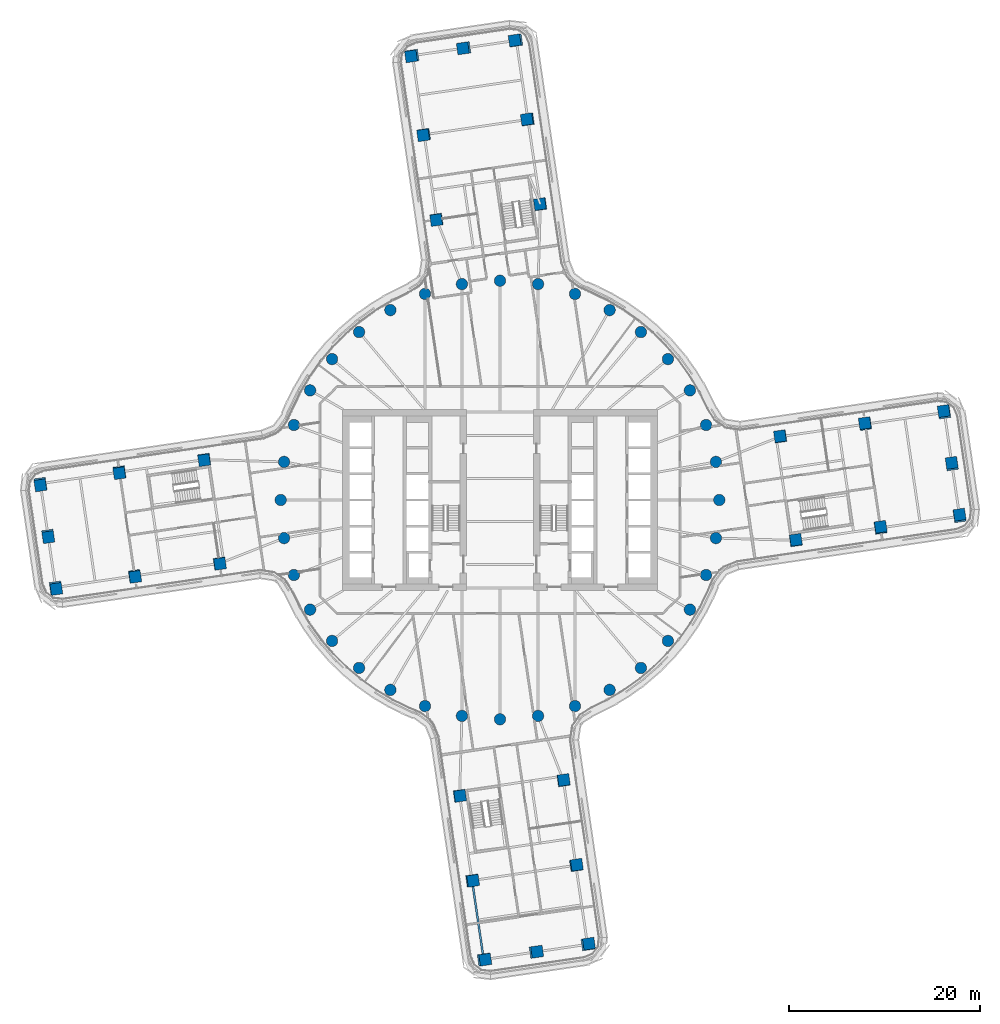
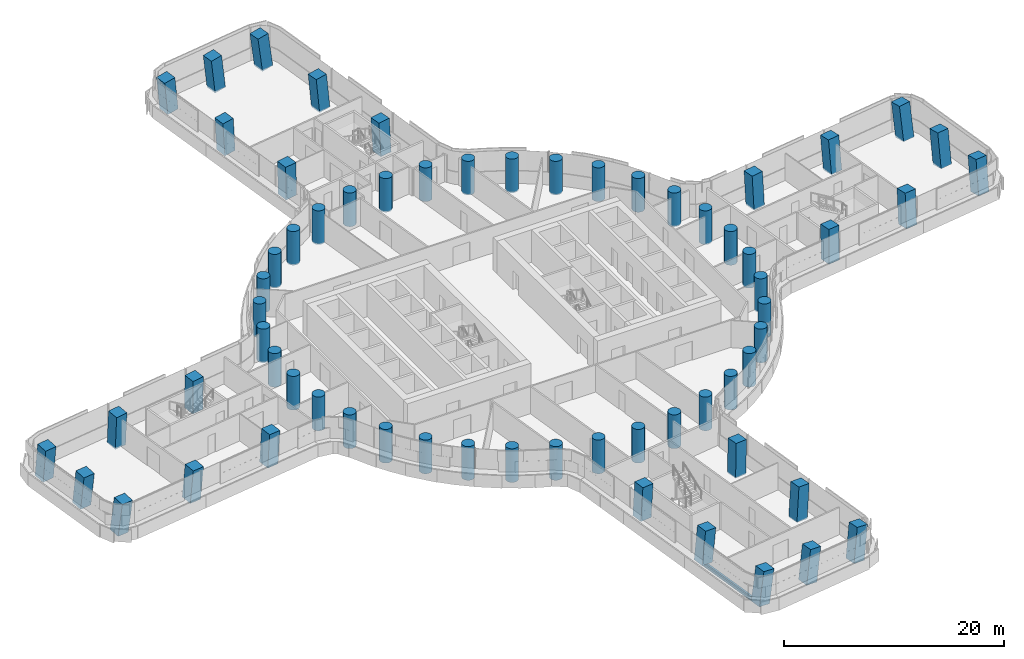
# One storey, part 1 of 31: 64 columns, 1 beam.
"""IFC4 building model written with IfcOpenShell, lengths in metres."""

from ifc_helpers import new_model, si_unit, direction, frame, origin, origin_2d, place, context, subcontext, project, spatial, rectangle, circle, i_section, extrude, material, material_profile, profile_set, type_object, element, save


model = new_model("IFC4")

# Units and contexts
model_context = context("Model", 3, precision=1e-05, world=origin(), true_north=direction((0.0, 1.0)))
body_context = subcontext(model_context, "Body", "Model", "MODEL_VIEW")
ifc_project = project(units=[si_unit("LENGTHUNIT", "METRE"), si_unit("AREAUNIT", "SQUARE_METRE"), si_unit("VOLUMEUNIT", "CUBIC_METRE"), si_unit("PLANEANGLEUNIT", "RADIAN"), si_unit("MASSUNIT", "GRAM", prefix="KILO")], contexts=[model_context])

# Site, building, storey
site_placement = place(None, origin())
site = spatial("IfcSite", under=ifc_project, at=site_placement, CompositionType="ELEMENT")
building_placement = place(site_placement, origin())
building = spatial("IfcBuilding", under=site, at=building_placement, Name="Tamarind Cross Interchange Tower", CompositionType="ELEMENT")
storey_placement = place(building_placement, frame((0.0, 0.0, 64.0)))
storey = spatial("IfcBuildingStorey", under=building, at=storey_placement, Name="L14", CompositionType="ELEMENT", Elevation=64.0)

# Columns
ifc_material_1 = material(Name="Concrete C70", Category="concrete")
ifc_material_profile_1 = material_profile(ifc_material_1, rectangle(XDim=1.199951171875, YDim=1.199951171875, at=origin_2d()), Name="RC 1200x1200")
ifc_profile_set_1 = profile_set([ifc_material_profile_1], Name="Concrete C70")
column_type_1 = type_object("IfcColumnType", Name="Column RC 1200x1200 Concrete C70", PredefinedType="COLUMN", material=ifc_profile_set_1)
for number, where, z_axis, x_axis, name in (
    (1, (38.316650390625, 7.95654296875, -0.138427734375), (-0.039268714824, 0.078667243581, 0.996127217188), (0.143893294794, -0.986060344025, 0.083544704523), "Column L14-036"),
    (2, (39.915771484375, -2.926513671875, -0.138427734375), (0.0133708996, 0.086845940123, 0.99613202023), (-0.98919717886, -0.144292484971, 0.025857689694), "Column L14-037"),
):
    element("IfcColumn", number, at=place(storey_placement, frame(where, z_axis=z_axis, x_axis=x_axis)), inside=storey, type_object=column_type_1, Name=name, PredefinedType="COLUMN", context=body_context, shape_type="SweptSolid", body=[
        extrude(rectangle(XDim=1.199951171875, YDim=1.199951171875, at=origin_2d()), origin(), (0.0, 0.0, 1.0), 3.761474609375),
    ])
for number, where, z_axis, x_axis, name in (
    (3, (29.412353515625, 6.648193359375, -0.138671875), (-0.032602363216, 0.035725942926, 0.998829686641), (0.144215796423, -0.988734558456, 0.04007214715), "Column L14-038"),
    (4, (31.011474609375, -4.235107421875, -0.138671875), (0.020173090167, 0.043990351462, 0.99882826122), (-0.989075414591, -0.145033721789, 0.026363683266), "Column L14-039"),
):
    element("IfcColumn", number, at=place(storey_placement, frame(where, z_axis=z_axis, x_axis=x_axis)), inside=storey, type_object=column_type_1, Name=name, PredefinedType="COLUMN", context=body_context, shape_type="SweptSolid", body=[
        extrude(rectangle(XDim=1.199951171875, YDim=1.199951171875, at=origin_2d()), origin(), (0.0, 0.0, 1.0), 3.751708984375),
    ])
column_1_placement = place(storey_placement, frame((48.209228515625, -1.7080078125, -0.138671875), z_axis=(0.001292709598, 0.125522101994, 0.992089981208), x_axis=(-0.98940193611, -0.143888079308, 0.019494344175)))
element("IfcColumn", 5, at=column_1_placement, inside=storey, type_object=column_type_1, Name="Column L14-040", PredefinedType="COLUMN", context=body_context, shape_type="SweptSolid", body=[
    extrude(rectangle(XDim=1.199951171875, YDim=1.199951171875, at=origin_2d()), origin(), (0.0, 0.0, 1.0), 3.777099609375),
])
column_2_placement = place(storey_placement, frame((47.409912109375, 3.733642578125, -0.138671875), z_axis=(-0.02495429383, 0.121409750809, 0.992288746096), x_axis=(0.143881676543, -0.981827108054, 0.123748103203)))
element("IfcColumn", 6, at=column_2_placement, inside=storey, type_object=column_type_1, Name="Column L14-041", PredefinedType="COLUMN", context=body_context, shape_type="SweptSolid", body=[
    extrude(rectangle(XDim=1.199951171875, YDim=1.199951171875, at=origin_2d()), origin(), (0.0, 0.0, 1.0), 3.7763671875),
])
column_3_placement = place(storey_placement, frame((46.6103515625, 9.175048828125, -0.138427734375), z_axis=(-0.051181469021, 0.117355489573, 0.991770208413), x_axis=(0.142269707297, -0.982086717928, 0.123551644487)))
element("IfcColumn", 7, at=column_3_placement, inside=storey, type_object=column_type_1, Name="Column L14-042", PredefinedType="COLUMN", context=body_context, shape_type="SweptSolid", body=[
    extrude(rectangle(XDim=1.199951171875, YDim=1.199951171875, at=origin_2d()), origin(), (0.0, 0.0, 1.0), 3.77783203125),
])
for number, where, z_axis, x_axis, name in (
    (8, (-7.95654296875, 38.316650390625, -0.138427734375), (-0.078667243581, -0.039268714824, 0.996127217188), (0.986060344025, 0.143893294794, 0.083544704523), "Column L14-043"),
    (9, (2.926513671875, 39.915771484375, -0.138427734375), (-0.086845940123, 0.0133708996, 0.99613202023), (0.144292484971, -0.98919717886, 0.025857689694), "Column L14-044"),
):
    element("IfcColumn", number, at=place(storey_placement, frame(where, z_axis=z_axis, x_axis=x_axis)), inside=storey, type_object=column_type_1, Name=name, PredefinedType="COLUMN", context=body_context, shape_type="SweptSolid", body=[
        extrude(rectangle(XDim=1.199951171875, YDim=1.199951171875, at=origin_2d()), origin(), (0.0, 0.0, 1.0), 3.761474609375),
    ])
for number, where, z_axis, x_axis, name in (
    (10, (-6.648193359375, 29.412353515625, -0.138671875), (-0.035725942926, -0.032602363216, 0.998829686641), (0.988734558456, 0.144215796423, 0.04007214715), "Column L14-045"),
    (11, (4.235107421875, 31.011474609375, -0.138671875), (-0.043990351462, 0.020173090167, 0.99882826122), (0.145033721789, -0.989075414591, 0.026363683266), "Column L14-046"),
):
    element("IfcColumn", number, at=place(storey_placement, frame(where, z_axis=z_axis, x_axis=x_axis)), inside=storey, type_object=column_type_1, Name=name, PredefinedType="COLUMN", context=body_context, shape_type="SweptSolid", body=[
        extrude(rectangle(XDim=1.199951171875, YDim=1.199951171875, at=origin_2d()), origin(), (0.0, 0.0, 1.0), 3.751708984375),
    ])
column_4_placement = place(storey_placement, frame((1.7080078125, 48.209228515625, -0.138671875), z_axis=(-0.125522101994, 0.001292709598, 0.992089981208), x_axis=(0.143888079308, -0.98940193611, 0.019494344175)))
element("IfcColumn", 12, at=column_4_placement, inside=storey, type_object=column_type_1, Name="Column L14-047", PredefinedType="COLUMN", context=body_context, shape_type="SweptSolid", body=[
    extrude(rectangle(XDim=1.199951171875, YDim=1.199951171875, at=origin_2d()), origin(), (0.0, 0.0, 1.0), 3.777099609375),
])
column_5_placement = place(storey_placement, frame((-3.733642578125, 47.409912109375, -0.138671875), z_axis=(-0.121409750809, -0.02495429383, 0.992288746096), x_axis=(0.981827108054, 0.143881676543, 0.123748103203)))
element("IfcColumn", 13, at=column_5_placement, inside=storey, type_object=column_type_1, Name="Column L14-048", PredefinedType="COLUMN", context=body_context, shape_type="SweptSolid", body=[
    extrude(rectangle(XDim=1.199951171875, YDim=1.199951171875, at=origin_2d()), origin(), (0.0, 0.0, 1.0), 3.7763671875),
])
column_6_placement = place(storey_placement, frame((-9.175048828125, 46.6103515625, -0.138427734375), z_axis=(-0.117355489573, -0.051181469021, 0.991770208413), x_axis=(0.982086717928, 0.142269707297, 0.123551644487)))
element("IfcColumn", 14, at=column_6_placement, inside=storey, type_object=column_type_1, Name="Column L14-049", PredefinedType="COLUMN", context=body_context, shape_type="SweptSolid", body=[
    extrude(rectangle(XDim=1.199951171875, YDim=1.199951171875, at=origin_2d()), origin(), (0.0, 0.0, 1.0), 3.77783203125),
])
for number, where, z_axis, x_axis, name in (
    (15, (-38.316650390625, -7.95654296875, -0.138427734375), (0.039268714824, -0.078667243581, 0.996127217188), (-0.143893294794, 0.986060344025, 0.083544704523), "Column L14-050"),
    (16, (-39.915771484375, 2.926513671875, -0.138427734375), (-0.0133708996, -0.086845940123, 0.99613202023), (0.98919717886, 0.144292484971, 0.025857689694), "Column L14-051"),
):
    element("IfcColumn", number, at=place(storey_placement, frame(where, z_axis=z_axis, x_axis=x_axis)), inside=storey, type_object=column_type_1, Name=name, PredefinedType="COLUMN", context=body_context, shape_type="SweptSolid", body=[
        extrude(rectangle(XDim=1.199951171875, YDim=1.199951171875, at=origin_2d()), origin(), (0.0, 0.0, 1.0), 3.761474609375),
    ])
for number, where, z_axis, x_axis, name in (
    (17, (-29.412353515625, -6.648193359375, -0.138671875), (0.032602363216, -0.035725942926, 0.998829686641), (-0.144215796423, 0.988734558456, 0.04007214715), "Column L14-052"),
    (18, (-31.011474609375, 4.235107421875, -0.138671875), (-0.020173090167, -0.043990351462, 0.99882826122), (0.989075414591, 0.145033721789, 0.026363683266), "Column L14-053"),
):
    element("IfcColumn", number, at=place(storey_placement, frame(where, z_axis=z_axis, x_axis=x_axis)), inside=storey, type_object=column_type_1, Name=name, PredefinedType="COLUMN", context=body_context, shape_type="SweptSolid", body=[
        extrude(rectangle(XDim=1.199951171875, YDim=1.199951171875, at=origin_2d()), origin(), (0.0, 0.0, 1.0), 3.751708984375),
    ])
column_7_placement = place(storey_placement, frame((-48.209228515625, 1.7080078125, -0.138671875), z_axis=(-0.001292709598, -0.125522101994, 0.992089981208), x_axis=(0.98940193611, 0.143888079308, 0.019494344175)))
element("IfcColumn", 19, at=column_7_placement, inside=storey, type_object=column_type_1, Name="Column L14-054", PredefinedType="COLUMN", context=body_context, shape_type="SweptSolid", body=[
    extrude(rectangle(XDim=1.199951171875, YDim=1.199951171875, at=origin_2d()), origin(), (0.0, 0.0, 1.0), 3.777099609375),
])
column_8_placement = place(storey_placement, frame((-47.409912109375, -3.733642578125, -0.138671875), z_axis=(0.02495429383, -0.121409750809, 0.992288746096), x_axis=(-0.143881676543, 0.981827108054, 0.123748103203)))
element("IfcColumn", 20, at=column_8_placement, inside=storey, type_object=column_type_1, Name="Column L14-055", PredefinedType="COLUMN", context=body_context, shape_type="SweptSolid", body=[
    extrude(rectangle(XDim=1.199951171875, YDim=1.199951171875, at=origin_2d()), origin(), (0.0, 0.0, 1.0), 3.7763671875),
])
column_9_placement = place(storey_placement, frame((-46.6103515625, -9.175048828125, -0.138427734375), z_axis=(0.051181469021, -0.117355489573, 0.991770208413), x_axis=(-0.142269707297, 0.982086717928, 0.123551644487)))
element("IfcColumn", 21, at=column_9_placement, inside=storey, type_object=column_type_1, Name="Column L14-056", PredefinedType="COLUMN", context=body_context, shape_type="SweptSolid", body=[
    extrude(rectangle(XDim=1.199951171875, YDim=1.199951171875, at=origin_2d()), origin(), (0.0, 0.0, 1.0), 3.77783203125),
])
for number, where, z_axis, x_axis, name in (
    (22, (7.95654296875, -38.316650390625, -0.138427734375), (0.078667243581, 0.039268714824, 0.996127217188), (-0.986060344025, -0.143893294794, 0.083544704523), "Column L14-057"),
    (23, (-2.926513671875, -39.915771484375, -0.138427734375), (0.086845940123, -0.0133708996, 0.99613202023), (-0.144292484971, 0.98919717886, 0.025857689694), "Column L14-058"),
):
    element("IfcColumn", number, at=place(storey_placement, frame(where, z_axis=z_axis, x_axis=x_axis)), inside=storey, type_object=column_type_1, Name=name, PredefinedType="COLUMN", context=body_context, shape_type="SweptSolid", body=[
        extrude(rectangle(XDim=1.199951171875, YDim=1.199951171875, at=origin_2d()), origin(), (0.0, 0.0, 1.0), 3.761474609375),
    ])
for number, where, z_axis, x_axis, name in (
    (24, (6.648193359375, -29.412353515625, -0.138671875), (0.035725942926, 0.032602363216, 0.998829686641), (-0.988734558456, -0.144215796423, 0.04007214715), "Column L14-059"),
    (25, (-4.235107421875, -31.011474609375, -0.138671875), (0.043990351462, -0.020173090167, 0.99882826122), (-0.145033721789, 0.989075414591, 0.026363683266), "Column L14-060"),
):
    element("IfcColumn", number, at=place(storey_placement, frame(where, z_axis=z_axis, x_axis=x_axis)), inside=storey, type_object=column_type_1, Name=name, PredefinedType="COLUMN", context=body_context, shape_type="SweptSolid", body=[
        extrude(rectangle(XDim=1.199951171875, YDim=1.199951171875, at=origin_2d()), origin(), (0.0, 0.0, 1.0), 3.751708984375),
    ])
column_10_placement = place(storey_placement, frame((-1.7080078125, -48.209228515625, -0.138671875), z_axis=(0.125522101994, -0.001292709598, 0.992089981208), x_axis=(-0.143888079308, 0.98940193611, 0.019494344175)))
element("IfcColumn", 26, at=column_10_placement, inside=storey, type_object=column_type_1, Name="Column L14-061", PredefinedType="COLUMN", context=body_context, shape_type="SweptSolid", body=[
    extrude(rectangle(XDim=1.199951171875, YDim=1.199951171875, at=origin_2d()), origin(), (0.0, 0.0, 1.0), 3.777099609375),
])
column_11_placement = place(storey_placement, frame((3.733642578125, -47.409912109375, -0.138671875), z_axis=(0.121409750809, 0.02495429383, 0.992288746096), x_axis=(-0.981827108054, -0.143881676543, 0.123748103203)))
element("IfcColumn", 27, at=column_11_placement, inside=storey, type_object=column_type_1, Name="Column L14-062", PredefinedType="COLUMN", context=body_context, shape_type="SweptSolid", body=[
    extrude(rectangle(XDim=1.199951171875, YDim=1.199951171875, at=origin_2d()), origin(), (0.0, 0.0, 1.0), 3.7763671875),
])
column_12_placement = place(storey_placement, frame((9.175048828125, -46.6103515625, -0.138427734375), z_axis=(0.117355489573, 0.051181469021, 0.991770208413), x_axis=(-0.982086717928, -0.142269707297, 0.123551644487)))
element("IfcColumn", 28, at=column_12_placement, inside=storey, type_object=column_type_1, Name="Column L14-063", PredefinedType="COLUMN", context=body_context, shape_type="SweptSolid", body=[
    extrude(rectangle(XDim=1.199951171875, YDim=1.199951171875, at=origin_2d()), origin(), (0.0, 0.0, 1.0), 3.77783203125),
])
ifc_material_profile_2 = material_profile(ifc_material_1, circle(Radius=0.60009765625, at=origin_2d()), Name="RC D1200")
ifc_profile_set_2 = profile_set([ifc_material_profile_2], Name="Concrete C70")
column_type_2 = type_object("IfcColumnType", Name="Column RC D1200 Concrete C70", PredefinedType="COLUMN", material=ifc_profile_set_2)
for number, where, z_axis, x_axis, name in (
    (29, (23.0, 0.0, -0.139892578125), (0.0, 0.0, 1.0), (1.0, 0.0, 0.0), "Column L14-000"),
    (30, (22.650634765625, 3.993896484375, -0.139892578125), (0.0, 0.0, 1.0), (1.0, 0.0, 0.0), "Column L14-001"),
    (31, (21.613037109375, 7.866455078125, -0.139892578125), (0.0, 0.0, 1.0), (1.0, 0.0, 0.0), "Column L14-002"),
    (32, (19.918701171875, 11.5, -0.139892578125), (0.0, 0.0, 1.0), (1.0, 0.0, 0.0), "Column L14-003"),
    (33, (17.619140625, 14.7841796875, -0.139892578125), (0.0, 0.0, 1.0), (1.0, 0.0, 0.0), "Column L14-004"),
    (34, (14.7841796875, 17.619140625, -0.139892578125), (0.0, 0.0, 1.0), (1.0, 0.0, 0.0), "Column L14-005"),
    (35, (11.5, 19.918701171875, -0.139892578125), (0.0, 0.0, 1.0), (1.0, 0.0, 0.0), "Column L14-006"),
    (36, (7.866455078125, 21.613037109375, -0.139892578125), (0.0, 0.0, 1.0), (1.0, 0.0, 0.0), "Column L14-007"),
    (37, (3.993896484375, 22.650634765625, -0.139892578125), (0.0, 0.0, 1.0), (1.0, 0.0, 0.0), "Column L14-008"),
    (38, (0.0, 23.0, -0.139892578125), (0.0, 0.0, 1.0), (1.0, 0.0, 0.0), "Column L14-009"),
    (39, (-3.993896484375, 22.650634765625, -0.139892578125), (0.0, 0.0, 1.0), (1.0, 0.0, 0.0), "Column L14-010"),
    (40, (-7.866455078125, 21.613037109375, -0.139892578125), (0.0, 0.0, 1.0), (1.0, 0.0, 0.0), "Column L14-011"),
    (41, (-11.5, 19.918701171875, -0.139892578125), (0.0, 0.0, 1.0), (1.0, 0.0, 0.0), "Column L14-012"),
    (42, (-14.7841796875, 17.619140625, -0.139892578125), (0.0, 0.0, 1.0), (1.0, 0.0, 0.0), "Column L14-013"),
    (43, (-17.619140625, 14.7841796875, -0.139892578125), (0.0, 0.0, 1.0), (1.0, 0.0, 0.0), "Column L14-014"),
    (44, (-19.918701171875, 11.5, -0.139892578125), (0.0, 0.0, 1.0), (1.0, 0.0, 0.0), "Column L14-015"),
    (45, (-21.613037109375, 7.866455078125, -0.139892578125), (0.0, 0.0, 1.0), (1.0, 0.0, 0.0), "Column L14-016"),
    (46, (-22.650634765625, 3.993896484375, -0.139892578125), (0.0, 0.0, 1.0), (1.0, 0.0, 0.0), "Column L14-017"),
    (47, (-23.0, 0.0, -0.139892578125), (0.0, 0.0, 1.0), (1.0, 0.0, 0.0), "Column L14-018"),
    (48, (-22.650634765625, -3.993896484375, -0.139892578125), (0.0, 0.0, 1.0), (1.0, 0.0, 0.0), "Column L14-019"),
    (49, (-21.613037109375, -7.866455078125, -0.139892578125), (0.0, 0.0, 1.0), (1.0, 0.0, 0.0), "Column L14-020"),
    (50, (-19.918701171875, -11.5, -0.139892578125), (0.0, 0.0, 1.0), (1.0, 0.0, 0.0), "Column L14-021"),
    (51, (-17.619140625, -14.7841796875, -0.139892578125), (0.0, 0.0, 1.0), (1.0, 0.0, 0.0), "Column L14-022"),
    (52, (-14.7841796875, -17.619140625, -0.139892578125), (0.0, 0.0, 1.0), (1.0, 0.0, 0.0), "Column L14-023"),
    (53, (-11.5, -19.918701171875, -0.139892578125), (0.0, 0.0, 1.0), (1.0, 0.0, 0.0), "Column L14-024"),
    (54, (-7.866455078125, -21.613037109375, -0.139892578125), (0.0, 0.0, 1.0), (1.0, 0.0, 0.0), "Column L14-025"),
    (55, (-3.993896484375, -22.650634765625, -0.139892578125), (0.0, 0.0, 1.0), (1.0, 0.0, 0.0), "Column L14-026"),
    (56, (0.0, -23.0, -0.139892578125), (0.0, 0.0, 1.0), (1.0, 0.0, 0.0), "Column L14-027"),
    (57, (3.993896484375, -22.650634765625, -0.139892578125), (0.0, 0.0, 1.0), (1.0, 0.0, 0.0), "Column L14-028"),
    (58, (7.866455078125, -21.613037109375, -0.139892578125), (0.0, 0.0, 1.0), (1.0, 0.0, 0.0), "Column L14-029"),
    (59, (11.5, -19.918701171875, -0.139892578125), (0.0, 0.0, 1.0), (1.0, 0.0, 0.0), "Column L14-030"),
    (60, (14.7841796875, -17.619140625, -0.139892578125), (0.0, 0.0, 1.0), (1.0, 0.0, 0.0), "Column L14-031"),
    (61, (17.619140625, -14.7841796875, -0.139892578125), (0.0, 0.0, 1.0), (1.0, 0.0, 0.0), "Column L14-032"),
    (62, (19.918701171875, -11.5, -0.139892578125), (0.0, 0.0, 1.0), (1.0, 0.0, 0.0), "Column L14-033"),
    (63, (21.613037109375, -7.866455078125, -0.139892578125), (0.0, 0.0, 1.0), (1.0, 0.0, 0.0), "Column L14-034"),
    (64, (22.650634765625, -3.993896484375, -0.139892578125), (0.0, 0.0, 1.0), (1.0, 0.0, 0.0), "Column L14-035"),
):
    element("IfcColumn", number, at=place(storey_placement, frame(where, z_axis=z_axis, x_axis=x_axis)), inside=storey, type_object=column_type_2, Name=name, PredefinedType="COLUMN", context=body_context, shape_type="SweptSolid", body=[
        extrude(circle(Radius=0.60009765625, at=origin_2d()), origin(), (0.0, 0.0, 1.0), 3.75),
    ])

# Beam
ifc_material_2 = material(Name="Steel Q355B", Category="steel")
ifc_material_profile_3 = material_profile(ifc_material_2, i_section(OverallWidth=0.198974609375, OverallDepth=0.49609375, WebThickness=0.009033203125, FlangeThickness=0.013916015625, FilletRadius=0.012939453125, at=origin_2d()), Name="HN 496x199x9x14")
ifc_profile_set_3 = profile_set([ifc_material_profile_3], Name="Steel Q355B")
beam_type = type_object("IfcBeamType", Name="Composite beam HN 496x199x9x14 Q355B", PredefinedType="BEAM", material=ifc_profile_set_3)
beam_placement = place(storey_placement, frame((-1.708251953125, -48.209228515625, -0.387939453125), z_axis=(-0.145363185388, 0.989378362576, 0.0), x_axis=(-0.989378362576, -0.145363185388, 0.0)))
element("IfcBeam", 65, at=beam_placement, inside=storey, type_object=beam_type, Name="Beam S-edgeem5", PredefinedType="BEAM", context=body_context, shape_type="SweptSolid", body=[
    extrude(i_section(OverallWidth=0.198974609375, OverallDepth=0.49609375, WebThickness=0.009033203125, FlangeThickness=0.013916015625, FilletRadius=0.012939453125, at=origin_2d()), origin(), (0.0, 0.0, 1.0), 8.382568359375),
])

save(model, "model.ifc")
